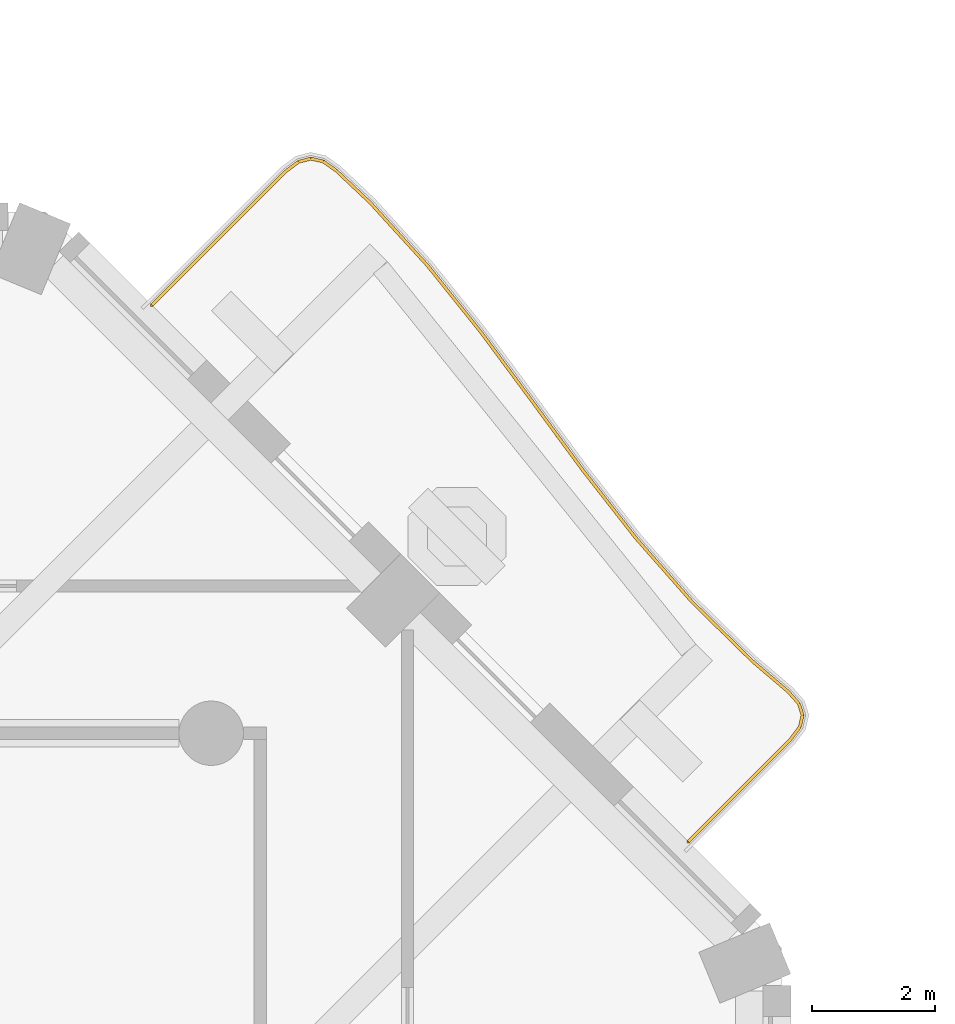
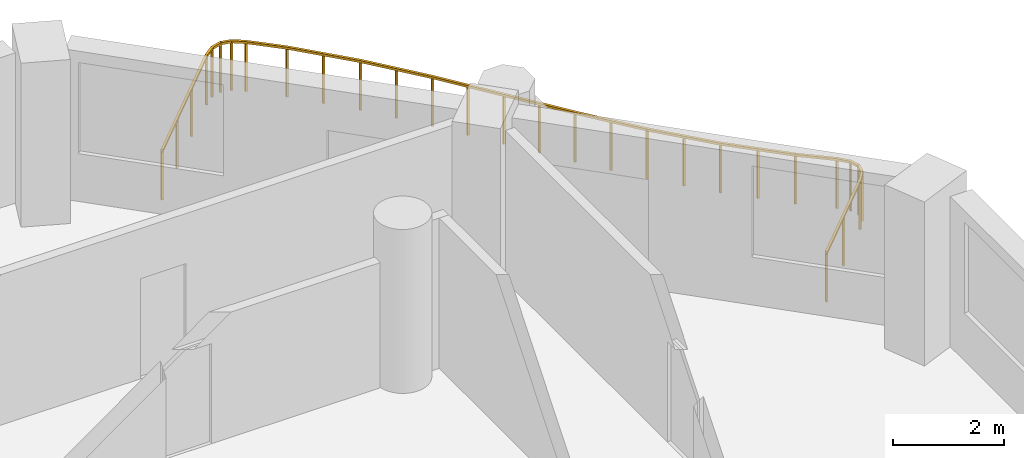
# One storey, part 18 of 19: 1 railing.
"""IFC4 building model written with IfcOpenShell, lengths in metres."""

from ifc_helpers import new_model, si_unit, direction, frame, origin, origin_2d, place, context, subcontext, project, spatial, rectangle, extrude, material, type_object, element, save


model = new_model("IFC4")

# Units and contexts
model_context = context("Model", 3, precision=1e-05, world=origin(), true_north=direction((0.0, 1.0)))
body_context = subcontext(model_context, "Body", "Model", "MODEL_VIEW")
ifc_project = project(units=[si_unit("LENGTHUNIT", "METRE"), si_unit("AREAUNIT", "SQUARE_METRE"), si_unit("VOLUMEUNIT", "CUBIC_METRE"), si_unit("PLANEANGLEUNIT", "RADIAN"), si_unit("MASSUNIT", "GRAM", prefix="KILO")], contexts=[model_context])

# Site, building, storey
site_placement = place(None, origin())
site = spatial("IfcSite", under=ifc_project, at=site_placement, CompositionType="ELEMENT")
building_placement = place(site_placement, origin())
building = spatial("IfcBuilding", under=site, at=building_placement, Name="Cypress Arch Tower", CompositionType="ELEMENT")
storey_placement = place(building_placement, frame((0.0, 0.0, 105.89990234375)))
storey = spatial("IfcBuildingStorey", under=building, at=storey_placement, Name="L21", CompositionType="ELEMENT", Elevation=105.89990234375)

# Railing
ifc_material = material(Name="Powder-coated steel posts and rods, 100 mm clear between rods", Category="steel")
railing_type = type_object("IfcRailingType", Name="Balcony guard GR1100", PredefinedType="GUARDRAIL", material=ifc_material)
railing_placement = place(storey_placement, frame((14.33251953125, 24.479736328125, 0.0)))
element("IfcRailing", 1, at=railing_placement, inside=storey, type_object=railing_type, Name="Balcony guard L21-A07", PredefinedType="GUARDRAIL", context=body_context, shape_type="SweptSolid", body=[
    extrude(rectangle(XDim=0.050048828125, YDim=0.050048828125, at=origin_2d()), frame((0.0, 0.0, 1.0751953125), z_axis=(0.707067177346, 0.70714638281, 0.0), x_axis=(-0.70714638281, 0.707067177346, 0.0)), (0.0, 0.0, 1.0), 3.082275390625),
    extrude(rectangle(XDim=0.050048828125, YDim=0.050048828125, at=origin_2d()), frame((2.179443359375, 2.1796875, 1.0751953125), z_axis=(0.800111241576, 0.599851649246, 0.0), x_axis=(-0.599851649246, 0.800111241576, 0.0)), (0.0, 0.0, 1.0), 0.263427734375),
    extrude(rectangle(XDim=0.050048828125, YDim=0.050048828125, at=origin_2d()), frame((2.39013671875, 2.337646484375, 1.0751953125), z_axis=(0.968249837593, 0.249984503524, 0.0), x_axis=(-0.249984503524, 0.968249837593, 0.0)), (0.0, 0.0, 1.0), 0.2080078125),
    extrude(rectangle(XDim=0.050048828125, YDim=0.050048828125, at=origin_2d()), frame((2.591552734375, 2.3896484375, 1.0751953125), z_axis=(0.975098264252, -0.221773251436, 0.0), x_axis=(0.221773251436, 0.975098264252, 0.0)), (0.0, 0.0, 1.0), 0.2080078125),
    extrude(rectangle(XDim=0.050048828125, YDim=0.050048828125, at=origin_2d()), frame((2.79443359375, 2.343505859375, 1.0751953125), z_axis=(0.816479574642, -0.577374318958, 0.0), x_axis=(0.577374318958, 0.816479574642, 0.0)), (0.0, 0.0, 1.0), 0.263427734375),
    extrude(rectangle(XDim=0.050048828125, YDim=0.050048828125, at=origin_2d()), frame((3.009521484375, 2.19140625, 1.0751953125), z_axis=(0.726977373615, -0.686661414564, 0.0), x_axis=(0.686661414564, 0.726977373615, 0.0)), (0.0, 0.0, 1.0), 0.757080078125),
    extrude(rectangle(XDim=0.050048828125, YDim=0.050048828125, at=origin_2d()), frame((3.559814453125, 1.671630859375, 1.0751953125), z_axis=(0.67389271157, -0.738829217948, 0.0), x_axis=(0.738829217948, 0.67389271157, 0.0)), (0.0, 0.0, 1.0), 1.383544921875),
    extrude(rectangle(XDim=0.050048828125, YDim=0.050048828125, at=origin_2d()), frame((4.4921875, 0.6494140625, 1.0751953125), z_axis=(0.625871214065, -0.779926421789, 0.0), x_axis=(0.779926421789, 0.625871214065, 0.0)), (0.0, 0.0, 1.0), 1.391357421875),
    extrude(rectangle(XDim=0.050048828125, YDim=0.050048828125, at=origin_2d()), frame((5.363037109375, -0.435791015625, 1.0751953125), z_axis=(0.595469455911, -0.803377947841, 0.0), x_axis=(0.803377947841, 0.595469455911, 0.0)), (0.0, 0.0, 1.0), 1.399658203125),
    extrude(rectangle(XDim=0.050048828125, YDim=0.050048828125, at=origin_2d()), frame((6.196533203125, -1.560302734375, 1.0751953125), z_axis=(0.592087970989, -0.80587333658, 0.0), x_axis=(0.80587333658, 0.592087970989, 0.0)), (0.0, 0.0, 1.0), 1.40234375),
    extrude(rectangle(XDim=0.050048828125, YDim=0.050048828125, at=origin_2d()), frame((7.02685546875, -2.6904296875, 1.0751953125), z_axis=(0.615860882157, -0.787854919277, 0.0), x_axis=(0.787854919277, 0.615860882157, 0.0)), (0.0, 0.0, 1.0), 1.398193359375),
    extrude(rectangle(XDim=0.050048828125, YDim=0.050048828125, at=origin_2d()), frame((7.887939453125, -3.7919921875, 1.0751953125), z_axis=(0.66048947049, -0.750835307755, 0.0), x_axis=(0.750835307755, 0.66048947049, 0.0)), (0.0, 0.0, 1.0), 1.3916015625),
    extrude(rectangle(XDim=0.050048828125, YDim=0.050048828125, at=origin_2d()), frame((8.80712890625, -4.8369140625, 1.0751953125), z_axis=(0.713578344475, -0.700575439404, 0.0), x_axis=(0.700575439404, 0.713578344475, 0.0)), (0.0, 0.0, 1.0), 1.389404296875),
    extrude(rectangle(XDim=0.050048828125, YDim=0.050048828125, at=origin_2d()), frame((9.798583984375, -5.810302734375, 1.0751953125), z_axis=(0.761646965825, -0.647992206318, 0.0), x_axis=(0.647992206318, 0.761646965825, 0.0)), (0.0, 0.0, 1.0), 0.762451171875),
    extrude(rectangle(XDim=0.050048828125, YDim=0.050048828125, at=origin_2d()), frame((10.37939453125, -6.304443359375, 1.0751953125), z_axis=(0.660967430198, -0.750414589555, 0.0), x_axis=(0.750414589555, 0.660967430198, 0.0)), (0.0, 0.0, 1.0), 0.25927734375),
    extrude(rectangle(XDim=0.050048828125, YDim=0.050048828125, at=origin_2d()), frame((10.55078125, -6.4990234375, 1.0751953125), z_axis=(0.300832649173, -0.953676945926, 0.0), x_axis=(0.953676945926, 0.300832649173, 0.0)), (0.0, 0.0, 1.0), 0.195556640625),
    extrude(rectangle(XDim=0.050048828125, YDim=0.050048828125, at=origin_2d()), frame((10.609619140625, -6.685546875, 1.0751953125), z_axis=(-0.222214602787, -0.974997779643, 0.0), x_axis=(0.974997779643, -0.222214602787, 0.0)), (0.0, 0.0, 1.0), 0.195556640625),
    extrude(rectangle(XDim=0.050048828125, YDim=0.050048828125, at=origin_2d()), frame((10.566162109375, -6.876220703125, 1.0751953125), z_axis=(-0.599095321855, -0.800677710026, 0.0), x_axis=(0.800677710026, -0.599095321855, 0.0)), (0.0, 0.0, 1.0), 0.25927734375),
    extrude(rectangle(XDim=0.050048828125, YDim=0.050048828125, at=origin_2d()), frame((10.410888671875, -7.083740234375, 1.0751953125), z_axis=(-0.707106781187, -0.707106781187, 0.0), x_axis=(0.707106781187, -0.707106781187, 0.0)), (0.0, 0.0, 1.0), 2.3525390625),
    extrude(rectangle(XDim=0.0400390625, YDim=0.0400390625, at=origin_2d()), origin(), (0.0, 0.0, 1.0), 1.050048828125),
    extrude(rectangle(XDim=0.0400390625, YDim=0.0400390625, at=origin_2d()), frame((0.7265625, 0.7265625, 0.0)), (0.0, 0.0, 1.0), 1.050048828125),
    extrude(rectangle(XDim=0.0400390625, YDim=0.0400390625, at=origin_2d()), frame((1.452880859375, 1.453125, 0.0)), (0.0, 0.0, 1.0), 1.050048828125),
    extrude(rectangle(XDim=0.0400390625, YDim=0.0400390625, at=origin_2d()), frame((2.179443359375, 2.1796875, 0.0)), (0.0, 0.0, 1.0), 1.050048828125),
    extrude(rectangle(XDim=0.0400390625, YDim=0.0400390625, at=origin_2d()), frame((2.39013671875, 2.337646484375, 0.0)), (0.0, 0.0, 1.0), 1.050048828125),
    extrude(rectangle(XDim=0.0400390625, YDim=0.0400390625, at=origin_2d()), frame((2.591552734375, 2.3896484375, 0.0)), (0.0, 0.0, 1.0), 1.050048828125),
    extrude(rectangle(XDim=0.0400390625, YDim=0.0400390625, at=origin_2d()), frame((2.79443359375, 2.343505859375, 0.0)), (0.0, 0.0, 1.0), 1.050048828125),
    extrude(rectangle(XDim=0.0400390625, YDim=0.0400390625, at=origin_2d()), frame((3.009521484375, 2.19140625, 0.0)), (0.0, 0.0, 1.0), 1.050048828125),
    extrude(rectangle(XDim=0.0400390625, YDim=0.0400390625, at=origin_2d()), frame((3.559814453125, 1.671630859375, 0.0)), (0.0, 0.0, 1.0), 1.050048828125),
    extrude(rectangle(XDim=0.0400390625, YDim=0.0400390625, at=origin_2d()), frame((4.02587890625, 1.16064453125, 0.0)), (0.0, 0.0, 1.0), 1.050048828125),
    extrude(rectangle(XDim=0.0400390625, YDim=0.0400390625, at=origin_2d()), frame((4.4921875, 0.6494140625, 0.0)), (0.0, 0.0, 1.0), 1.050048828125),
    extrude(rectangle(XDim=0.0400390625, YDim=0.0400390625, at=origin_2d()), frame((4.927734375, 0.10693359375, 0.0)), (0.0, 0.0, 1.0), 1.050048828125),
    extrude(rectangle(XDim=0.0400390625, YDim=0.0400390625, at=origin_2d()), frame((5.363037109375, -0.435791015625, 0.0)), (0.0, 0.0, 1.0), 1.050048828125),
    extrude(rectangle(XDim=0.0400390625, YDim=0.0400390625, at=origin_2d()), frame((5.77978515625, -0.998046875, 0.0)), (0.0, 0.0, 1.0), 1.050048828125),
    extrude(rectangle(XDim=0.0400390625, YDim=0.0400390625, at=origin_2d()), frame((6.196533203125, -1.560302734375, 0.0)), (0.0, 0.0, 1.0), 1.050048828125),
    extrude(rectangle(XDim=0.0400390625, YDim=0.0400390625, at=origin_2d()), frame((6.61181640625, -2.12548828125, 0.0)), (0.0, 0.0, 1.0), 1.050048828125),
    extrude(rectangle(XDim=0.0400390625, YDim=0.0400390625, at=origin_2d()), frame((7.02685546875, -2.6904296875, 0.0)), (0.0, 0.0, 1.0), 1.050048828125),
    extrude(rectangle(XDim=0.0400390625, YDim=0.0400390625, at=origin_2d()), frame((7.45751953125, -3.2412109375, 0.0)), (0.0, 0.0, 1.0), 1.050048828125),
    extrude(rectangle(XDim=0.0400390625, YDim=0.0400390625, at=origin_2d()), frame((7.887939453125, -3.7919921875, 0.0)), (0.0, 0.0, 1.0), 1.050048828125),
    extrude(rectangle(XDim=0.0400390625, YDim=0.0400390625, at=origin_2d()), frame((8.34765625, -4.314453125, 0.0)), (0.0, 0.0, 1.0), 1.050048828125),
    extrude(rectangle(XDim=0.0400390625, YDim=0.0400390625, at=origin_2d()), frame((8.80712890625, -4.8369140625, 0.0)), (0.0, 0.0, 1.0), 1.050048828125),
    extrude(rectangle(XDim=0.0400390625, YDim=0.0400390625, at=origin_2d()), frame((9.302734375, -5.32373046875, 0.0)), (0.0, 0.0, 1.0), 1.050048828125),
    extrude(rectangle(XDim=0.0400390625, YDim=0.0400390625, at=origin_2d()), frame((9.798583984375, -5.810302734375, 0.0)), (0.0, 0.0, 1.0), 1.050048828125),
    extrude(rectangle(XDim=0.0400390625, YDim=0.0400390625, at=origin_2d()), frame((10.37939453125, -6.304443359375, 0.0)), (0.0, 0.0, 1.0), 1.050048828125),
    extrude(rectangle(XDim=0.0400390625, YDim=0.0400390625, at=origin_2d()), frame((10.55078125, -6.4990234375, 0.0)), (0.0, 0.0, 1.0), 1.050048828125),
    extrude(rectangle(XDim=0.0400390625, YDim=0.0400390625, at=origin_2d()), frame((10.609619140625, -6.685546875, 0.0)), (0.0, 0.0, 1.0), 1.050048828125),
    extrude(rectangle(XDim=0.0400390625, YDim=0.0400390625, at=origin_2d()), frame((10.566162109375, -6.876220703125, 0.0)), (0.0, 0.0, 1.0), 1.050048828125),
    extrude(rectangle(XDim=0.0400390625, YDim=0.0400390625, at=origin_2d()), frame((10.410888671875, -7.083740234375, 0.0)), (0.0, 0.0, 1.0), 1.050048828125),
    extrude(rectangle(XDim=0.0400390625, YDim=0.0400390625, at=origin_2d()), frame((9.5791015625, -7.91552734375, 0.0)), (0.0, 0.0, 1.0), 1.050048828125),
    extrude(rectangle(XDim=0.0400390625, YDim=0.0400390625, at=origin_2d()), frame((8.747314453125, -8.747314453125, 0.0)), (0.0, 0.0, 1.0), 1.050048828125),
])

save(model, "model.ifc")
